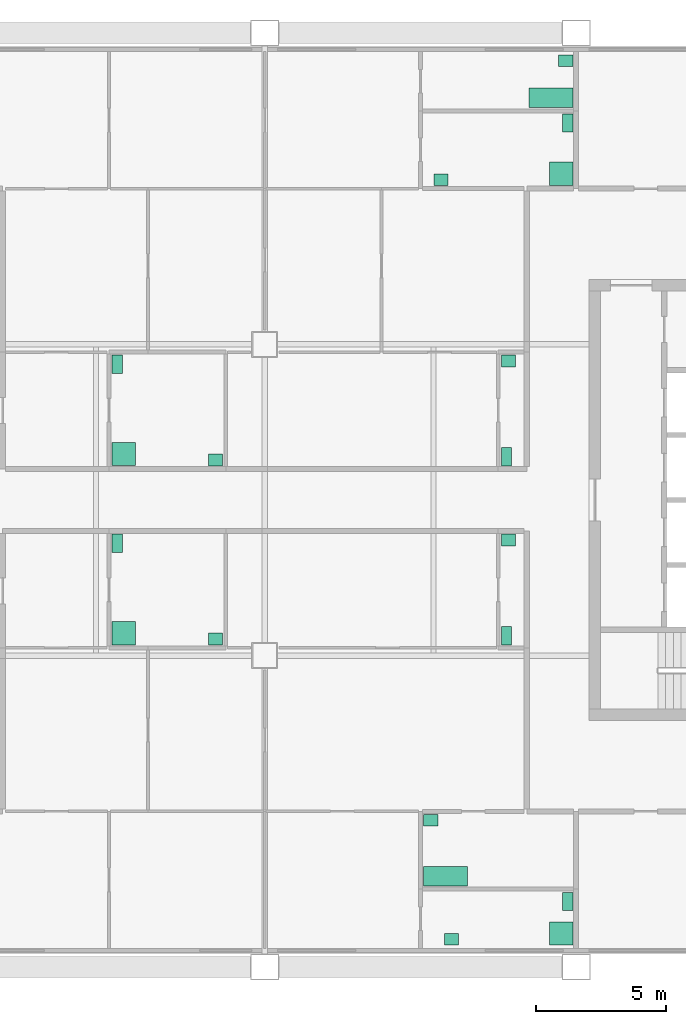
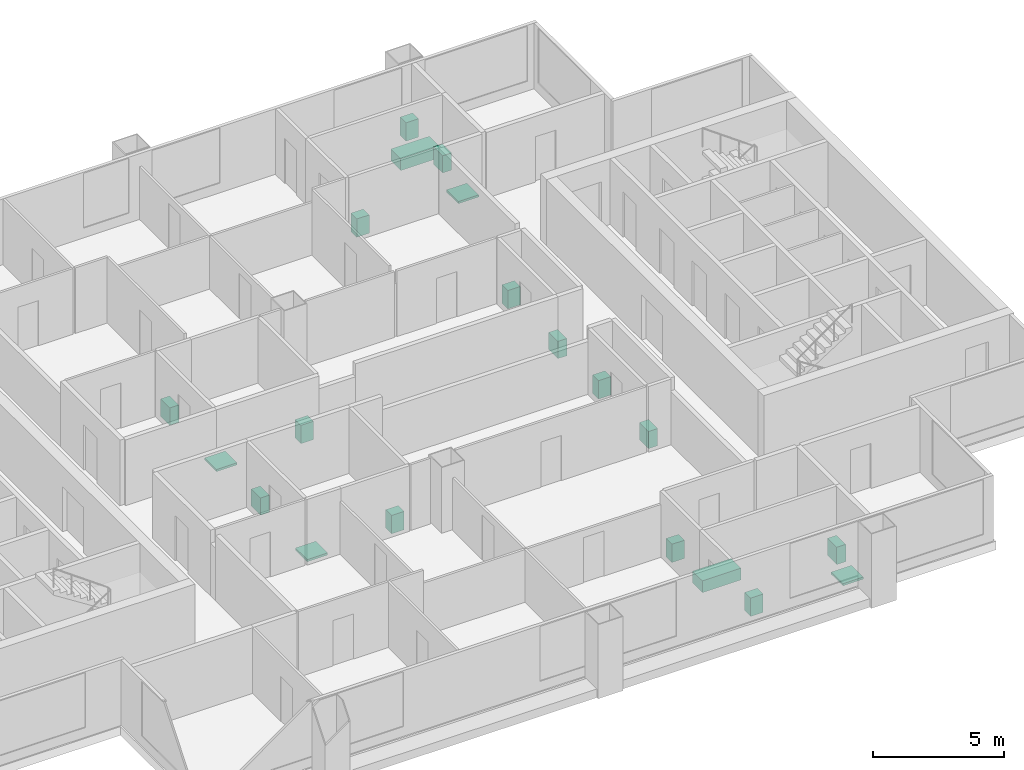
# One storey, part 8 of 8: 20 sanitary terminals.
"""IFC4 building model written with IfcOpenShell, lengths in metres."""

import ifcopenshell
import ifcopenshell.guid

model = None  # the IFC model being written
_history = None  # IfcOwnerHistory: only IFC2X3 demands one
_inside = {}  # id of a spatial element -> (the spatial element, [elements in it])
_under = {}  # id of a project, library or spatial element -> (it, [spatial elements below it])
_declared = {}  # id of a project -> (the project, [libraries it declares])
_typed = {}  # id of a type object -> (the type object, [elements of that type])
_made_of = {}  # id of a material, layer set ... -> (it, [elements and type objects made of it])


def new_model(schema):
    """Start an empty IFC model of exactly this schema.

    Asked for "IFC4X3", IfcOpenShell would pick the latest addendum, in which some entities
    have other attributes; the version numbers below select the first issue.
    IFC2X3 requires an IfcOwnerHistory on every rooted entity: one is made here for all.
    """
    global model, _history
    if schema == "IFC4X3":
        model = ifcopenshell.file(schema_version=(4, 3, 0, 0))
    else:
        model = ifcopenshell.file(schema=schema)
    _inside.clear()
    _under.clear()
    _declared.clear()
    _typed.clear()
    _made_of.clear()
    _history = None
    if model.schema == "IFC2X3":
        org = make("IfcOrganization", Name="unknown")
        user = make(
            "IfcPersonAndOrganization",
            ThePerson=make("IfcPerson", FamilyName="unknown"),
            TheOrganization=org,
        )
        app = make(
            "IfcApplication",
            ApplicationDeveloper=org,
            Version="unknown",
            ApplicationFullName="unknown",
            ApplicationIdentifier="unknown",
        )
        _history = make(
            "IfcOwnerHistory",
            OwningUser=user,
            OwningApplication=app,
            ChangeAction="ADDED",
            CreationDate=0,
        )
    return model


def make(cls, **values):
    """One entity of the class cls with the attributes given. An attribute that is None is left unset."""
    return model.create_entity(
        cls, **{name: value for name, value in values.items() if value is not None}
    )


def rooted(cls, **values):
    """An entity with a GlobalId (a new one), such as an element, a storey or a relation."""
    return make(cls, GlobalId=ifcopenshell.guid.new(), OwnerHistory=_history, **values)


def si_unit(unit_type, name, prefix=None):
    """IfcSIUnit, for example si_unit("LENGTHUNIT", "METRE", prefix="MILLI")."""
    return make("IfcSIUnit", UnitType=unit_type, Prefix=prefix, Name=name)


def assignment(units):
    """IfcUnitAssignment: the units of a project."""
    return None if units is None else make("IfcUnitAssignment", Units=units)


def point(xyz):
    """IfcCartesianPoint."""
    return None if xyz is None else make("IfcCartesianPoint", Coordinates=xyz)


def direction(xyz):
    """IfcDirection."""
    return None if xyz is None else make("IfcDirection", DirectionRatios=xyz)


def frame(location, z_axis=None, x_axis=None):
    """IfcAxis2Placement3D, a coordinate frame: its origin and axes. An axis left out is left unset."""
    return make(
        "IfcAxis2Placement3D",
        Location=point(location),
        Axis=direction(z_axis),
        RefDirection=direction(x_axis),
    )


def frame_2d(location, x_axis=None):
    """IfcAxis2Placement2D, a coordinate frame in the plane: its origin and x axis."""
    return make(
        "IfcAxis2Placement2D", Location=point(location), RefDirection=direction(x_axis)
    )


def origin():
    """The frame at (0, 0, 0) with its axes left unset."""
    return frame((0.0, 0.0, 0.0))


def origin_2d():
    """The frame at (0, 0) in the plane with its x axis left unset."""
    return frame_2d((0.0, 0.0))


def place(relative_to, where):
    """IfcLocalPlacement: puts the frame where relative to a parent placement (None: the world)."""
    return make(
        "IfcLocalPlacement", PlacementRelTo=relative_to, RelativePlacement=where
    )


def context(
    kind, dimensions, precision=None, world=None, true_north=None, identifier=None
):
    """IfcGeometricRepresentationContext, for example the 3D "Model" context."""
    return make(
        "IfcGeometricRepresentationContext",
        ContextIdentifier=identifier,
        ContextType=kind,
        CoordinateSpaceDimension=dimensions,
        Precision=precision,
        WorldCoordinateSystem=world,
        TrueNorth=true_north,
    )


def subcontext(parent, identifier, kind, view, scale=None):
    """IfcGeometricRepresentationSubContext, for example "Body" below "Model"."""
    return make(
        "IfcGeometricRepresentationSubContext",
        ContextIdentifier=identifier,
        ContextType=kind,
        ParentContext=parent,
        TargetScale=scale,
        TargetView=view,
    )


def project(units=None, contexts=None):
    """IfcProject with its units and contexts."""
    return rooted(
        "IfcProject",
        Name="project",
        RepresentationContexts=contexts,
        UnitsInContext=assignment(units),
    )


def spatial(cls, under=None, at=None, **own):
    """A site, building, storey or space (cls), placed at a placement, below another one or the project."""
    s = rooted(cls, ObjectPlacement=at, **own)
    if under is not None:
        _under.setdefault(under.id(), (under, []))[1].append(s)
    return s


def profile(cls, at=None, kind="AREA", **sizes):
    """A parametric profile (cls). Its sizes go by their IFC names, for example OverallWidth=200.0."""
    return make(cls, ProfileType=kind, Position=at, **sizes)


def rectangle(**sizes):
    """IfcRectangleProfileDef."""
    return profile("IfcRectangleProfileDef", **sizes)


def extrude(swept, where, along, depth):
    """IfcExtrudedAreaSolid: the profile swept, set in the frame where, extruded along a direction by depth."""
    return make(
        "IfcExtrudedAreaSolid",
        SweptArea=swept,
        Position=where,
        ExtrudedDirection=direction(along),
        Depth=depth,
    )


def shape(context_of_items, identifier, shape_type, items):
    """IfcShapeRepresentation: the items that make up one representation, for example the "Body"."""
    return make(
        "IfcShapeRepresentation",
        ContextOfItems=context_of_items,
        RepresentationIdentifier=identifier,
        RepresentationType=shape_type,
        Items=items,
    )


def material(Name=None, Category=None):
    """IfcMaterial."""
    return make("IfcMaterial", Name=Name, Category=Category)


def made_of(thing, what):
    """Note that an element or type object is made of a material, layer set ...; save() writes the relation."""
    if what is not None:
        _made_of.setdefault(what.id(), (what, []))[1].append(thing)
    return thing


def type_object(cls, material=None, **own):
    """A type object (cls), such as IfcWallType, which elements share."""
    return made_of(rooted(cls, **own), material)


def element(
    cls,
    number,
    at=None,
    inside=None,
    cuts=None,
    type_object=None,
    material=None,
    context=None,
    identifier="Body",
    shape_type=None,
    held_by="IfcProductDefinitionShape",
    body=None,
    shapes=None,
    **own,
):
    """One element of the class cls, such as IfcWall. Its Tag is "e" and its number.

    at: its placement. inside: the storey or other place that contains it. cuts: it is an
    opening in that element (IfcRelVoidsElement). A single representation is given by context,
    identifier, shape_type and body (its items); several are given by shapes. held_by: the class
    of the entity that holds the representations. save() writes the other relations.
    """
    e = rooted(cls, Tag="e%d" % number, ObjectPlacement=at, **own)
    if body is not None:
        shapes = [shape(context, identifier, shape_type, body)]
    if shapes is not None:
        e.Representation = make(held_by, Representations=shapes)
    if inside is not None:
        _inside.setdefault(inside.id(), (inside, []))[1].append(e)
    if cuts is not None:
        rooted(
            "IfcRelVoidsElement", RelatingBuildingElement=cuts, RelatedOpeningElement=e
        )
    if type_object is not None:
        _typed.setdefault(type_object.id(), (type_object, []))[1].append(e)
    return made_of(e, material)


def aggregate(whole, parts):
    """IfcRelAggregates: a whole, such as a stair, and the parts it consists of."""
    return rooted("IfcRelAggregates", RelatingObject=whole, RelatedObjects=parts)


def save(model, path):
    """Write the relations noted so far, then the file.

    IfcRelAggregates (storeys below a building ...), IfcRelContainedInSpatialStructure (elements
    in a storey), IfcRelDefinesByType, IfcRelAssociatesMaterial and IfcRelDeclares: one each for
    every whole, place, type object, material and project.
    """
    for whole, parts in _under.values():
        aggregate(whole, parts)
    for where, things in _inside.values():
        rooted(
            "IfcRelContainedInSpatialStructure",
            RelatedElements=things,
            RelatingStructure=where,
        )
    for kind, things in _typed.values():
        rooted("IfcRelDefinesByType", RelatedObjects=things, RelatingType=kind)
    for what, things in _made_of.values():
        rooted("IfcRelAssociatesMaterial", RelatedObjects=things, RelatingMaterial=what)
    for by, libraries in _declared.values():
        rooted("IfcRelDeclares", RelatingContext=by, RelatedDefinitions=libraries)
    model.write(path)


model = new_model("IFC4")

# Units and contexts
model_context = context("Model", 3, precision=1e-05, world=origin(), true_north=direction((0.0, 1.0)))
body_context = subcontext(model_context, "Body", "Model", "MODEL_VIEW")
ifc_project = project(units=[si_unit("LENGTHUNIT", "METRE"), si_unit("AREAUNIT", "SQUARE_METRE"), si_unit("VOLUMEUNIT", "CUBIC_METRE"), si_unit("PLANEANGLEUNIT", "RADIAN"), si_unit("MASSUNIT", "GRAM", prefix="KILO")], contexts=[model_context])

# Site, building, storey
site_placement = place(None, origin())
site = spatial("IfcSite", under=ifc_project, at=site_placement, CompositionType="ELEMENT")
building_placement = place(site_placement, origin())
building = spatial("IfcBuilding", under=site, at=building_placement, Name="Kitamizu Gate Tower and Museum", CompositionType="ELEMENT")
storey_placement = place(building_placement, frame((0.0, 0.0, 228.300048828125)))
storey = spatial("IfcBuildingStorey", under=building, at=storey_placement, Name="L61", CompositionType="ELEMENT", Elevation=228.300048828125)

# Sanitary terminals
ifc_material_1 = material(Name="Acrylic")
sanitary_terminal_type_1 = type_object("IfcSanitaryTerminalType", Name="Bath", PredefinedType="BATH", material=ifc_material_1)
for number, where, z_axis, x_axis, name in (
    (1, (42.969970703125, 15.4951171875, 0.0009765625), (0.0, 0.0, 1.0), (1.0, 0.0, 0.0), "Bath Bathroom 61A"),
    (2, (47.030029296875, 45.4951171875, 0.0009765625), (0.0, 0.0, 1.0), (1.0, 0.0, 0.0), "Bath Bathroom 61B"),
):
    element("IfcSanitaryTerminal", number, at=place(storey_placement, frame(where, z_axis=z_axis, x_axis=x_axis)), inside=storey, type_object=sanitary_terminal_type_1, Name=name, PredefinedType="BATH", context=body_context, shape_type="SweptSolid", body=[
        extrude(rectangle(XDim=1.699951171875, YDim=0.75, at=origin_2d()), origin(), (0.0, 0.0, 1.0), 0.550048828125),
    ])
ifc_material_2 = material(Name="Acrylic")
sanitary_terminal_type_2 = type_object("IfcSanitaryTerminalType", Name="Shower tray", PredefinedType="SHOWER", material=ifc_material_2)
for number, where, z_axis, x_axis, name in (
    (3, (47.429931640625, 13.2900390625, 0.0009765625), (0.0, 0.0, 1.0), (1.0, 0.0, 0.0), "Shower tray En-suite bathroom 61A"),
    (4, (30.570068359375, 24.8701171875, 0.0009765625), (0.0, 0.0, 1.0), (1.0, 0.0, 0.0), "Shower tray En-suite bathroom 61A"),
    (5, (47.429931640625, 42.570068359375, 0.0009765625), (0.0, 0.0, 1.0), (1.0, 0.0, 0.0), "Shower tray En-suite bathroom 61B"),
    (6, (30.570068359375, 31.77001953125, 0.0009765625), (0.0, 0.0, 1.0), (1.0, 0.0, 0.0), "Shower tray En-suite bathroom 61B"),
):
    element("IfcSanitaryTerminal", number, at=place(storey_placement, frame(where, z_axis=z_axis, x_axis=x_axis)), inside=storey, type_object=sanitary_terminal_type_2, Name=name, PredefinedType="SHOWER", context=body_context, shape_type="SweptSolid", body=[
        extrude(rectangle(XDim=0.89990234375, YDim=0.89990234375, at=origin_2d()), origin(), (0.0, 0.0, 1.0), 0.10009765625),
    ])
ifc_material_3 = material(Name="Vitreous china")
sanitary_terminal_type_3 = type_object("IfcSanitaryTerminalType", Name="Wash hand basin", PredefinedType="WASHHANDBASIN", material=ifc_material_3)
for number, where, z_axis, x_axis, name in (
    (7, (43.195068359375, 13.06494140625, 0.0009765625), (0.0, 0.0, 1.0), (1.0, 0.0, 0.0), "Wash hand basin En-suite bathroom 61A"),
    (8, (42.39501953125, 17.655029296875, 0.0009765625), (0.0, 0.0, 1.0), (1.0, 0.0, 0.0), "Wash hand basin Bathroom 61A"),
    (9, (34.10498046875, 24.64501953125, 0.0009765625), (0.0, 0.0, 1.0), (1.0, 0.0, 0.0), "Wash hand basin En-suite bathroom 61A"),
    (10, (45.39501953125, 28.455078125, 0.0009765625), (0.0, 0.0, 1.0), (1.0, 0.0, 0.0), "Wash hand basin WC 61A"),
    (11, (42.794921875, 42.344970703125, 0.0009765625), (0.0, 0.0, 1.0), (1.0, 0.0, 0.0), "Wash hand basin En-suite bathroom 61B"),
    (12, (47.60498046875, 46.93505859375, 0.0009765625), (0.0, 0.0, 1.0), (1.0, 0.0, 0.0), "Wash hand basin Bathroom 61B"),
    (13, (34.10498046875, 31.544921875, 0.0009765625), (0.0, 0.0, 1.0), (1.0, 0.0, 0.0), "Wash hand basin En-suite bathroom 61B"),
    (14, (45.39501953125, 35.35498046875, 0.0009765625), (0.0, 0.0, 1.0), (1.0, 0.0, 0.0), "Wash hand basin WC 61B"),
):
    element("IfcSanitaryTerminal", number, at=place(storey_placement, frame(where, z_axis=z_axis, x_axis=x_axis)), inside=storey, type_object=sanitary_terminal_type_3, Name=name, PredefinedType="WASHHANDBASIN", context=body_context, shape_type="SweptSolid", body=[
        extrude(rectangle(XDim=0.550048828125, YDim=0.449951171875, at=origin_2d()), origin(), (0.0, 0.0, 1.0), 0.85009765625),
    ])
ifc_material_4 = material(Name="Vitreous china")
sanitary_terminal_type_4 = type_object("IfcSanitaryTerminalType", Name="Water closet", PredefinedType="TOILETPAN", material=ifc_material_4)
for number, where, z_axis, x_axis, name in (
    (15, (47.679931640625, 14.530029296875, 0.0009765625), (0.0, 0.0, 1.0), (1.0, 0.0, 0.0), "Water closet En-suite bathroom 61A"),
    (16, (30.320068359375, 28.330078125, 0.0009765625), (0.0, 0.0, 1.0), (1.0, 0.0, 0.0), "Water closet En-suite bathroom 61A"),
    (17, (45.320068359375, 24.77001953125, 0.0009765625), (0.0, 0.0, 1.0), (1.0, 0.0, 0.0), "Water closet WC 61A"),
    (18, (47.679931640625, 44.530029296875, 0.0009765625), (0.0, 0.0, 1.0), (1.0, 0.0, 0.0), "Water closet En-suite bathroom 61B"),
    (19, (30.320068359375, 35.22998046875, 0.0009765625), (0.0, 0.0, 1.0), (1.0, 0.0, 0.0), "Water closet En-suite bathroom 61B"),
    (20, (45.320068359375, 31.669921875, 0.0009765625), (0.0, 0.0, 1.0), (1.0, 0.0, 0.0), "Water closet WC 61B"),
):
    element("IfcSanitaryTerminal", number, at=place(storey_placement, frame(where, z_axis=z_axis, x_axis=x_axis)), inside=storey, type_object=sanitary_terminal_type_4, Name=name, PredefinedType="TOILETPAN", context=body_context, shape_type="SweptSolid", body=[
        extrude(rectangle(XDim=0.39990234375, YDim=0.699951171875, at=origin_2d()), origin(), (0.0, 0.0, 1.0), 0.800048828125),
    ])

save(model, "model.ifc")
